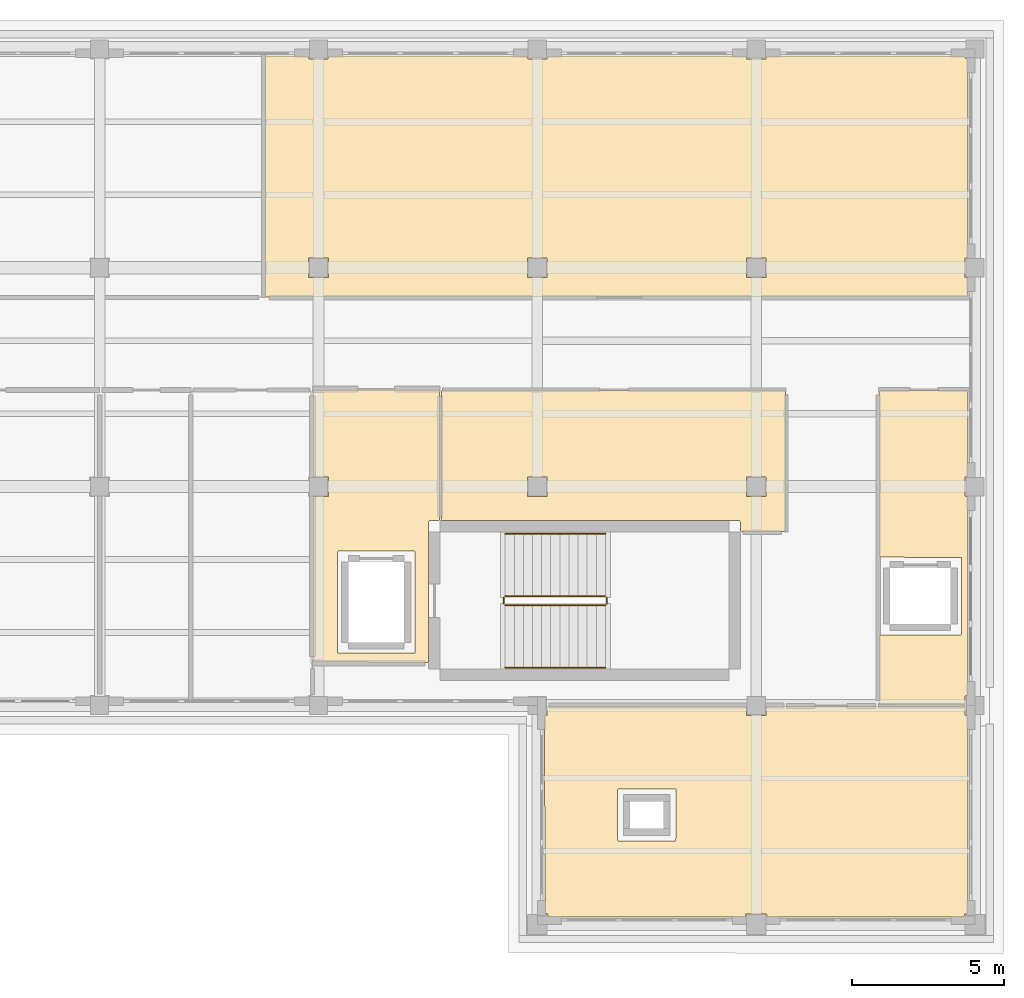
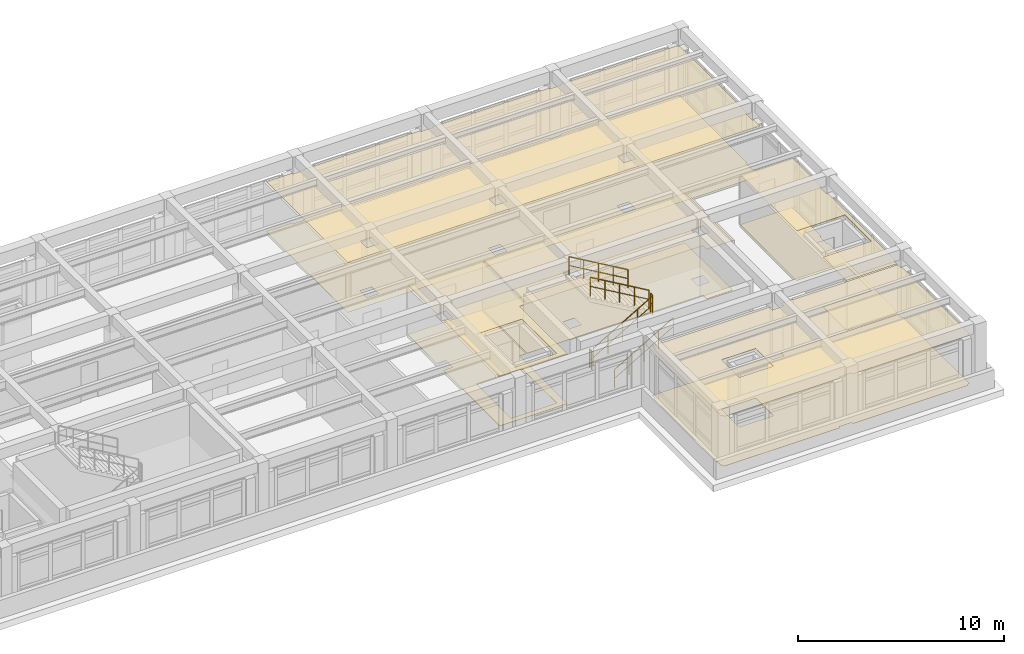
# One storey, part 19 of 19: 10 coverings, 6 railings.
"""IFC4 building model written with IfcOpenShell, lengths in metres."""

from ifc_helpers import new_model, si_unit, direction, frame, origin, origin_2d, place, context, subcontext, project, spatial, polyline, circle, outline, extrude, material, layer, layer_set, type_object, element, save


model = new_model("IFC4")

# Units and contexts
model_context = context("Model", 3, precision=1e-05, world=origin(), true_north=direction((0.0, 1.0)))
body_context = subcontext(model_context, "Body", "Model", "MODEL_VIEW")
ifc_project = project(units=[si_unit("LENGTHUNIT", "METRE"), si_unit("AREAUNIT", "SQUARE_METRE"), si_unit("VOLUMEUNIT", "CUBIC_METRE"), si_unit("PLANEANGLEUNIT", "RADIAN"), si_unit("MASSUNIT", "GRAM", prefix="KILO")], contexts=[model_context])

# Site, building, storey
site_placement = place(None, origin())
site = spatial("IfcSite", under=ifc_project, at=site_placement, CompositionType="ELEMENT")
building_placement = place(site_placement, origin())
building = spatial("IfcBuilding", under=site, at=building_placement, Name="Solenvale Faculty of Natural Sciences", CompositionType="ELEMENT")
storey_placement = place(building_placement, frame((0.0, 0.0, 27.0)))
storey = spatial("IfcBuildingStorey", under=building, at=storey_placement, Name="L06", CompositionType="ELEMENT", Elevation=27.0)

# Coverings
ifc_material_1 = material(Name="Acoustic mineral-timber ceiling", Category="wood")
ifc_layer_1 = layer(ifc_material_1, 0.02490234375)
ifc_layer_set_1 = layer_set([ifc_layer_1], Name="Acoustic mineral-timber ceiling")
covering_type_1 = type_object("IfcCoveringType", Name="COV-CEIL-AC25", PredefinedType="CEILING", material=ifc_layer_set_1)
covering_1_placement = place(storey_placement, frame((0.0, 0.0, 2.93505859375)))
element("IfcCovering", 1, at=covering_1_placement, inside=storey, type_object=covering_type_1, Name="L06 Firefighting Lobby C5 Acoustic Ceiling", PredefinedType="CEILING", context=body_context, shape_type="SweptSolid", body=[
    extrude(outline(polyline([(133.580078125, 99.7099609375), (133.555908203125, 99.680908203125), (133.248046875, 99.679931640625), (133.219970703125, 99.652099609375), (133.212890625, 95.031005859375), (133.18994140625, 95.02001953125), (129.430908203125, 95.027099609375), (129.419921875, 95.050048828125), (129.419921875, 100.447998046875), (129.447021484375, 100.47509765625), (129.923095703125, 100.47900390625), (129.925048828125, 101.114013671875), (129.9140625, 101.125), (129.447021484375, 101.125), (129.4208984375, 101.14892578125), (129.419921875, 103.949951171875), (129.428955078125, 103.970947265625), (129.449951171875, 103.97998046875), (133.550048828125, 103.97998046875), (133.571044921875, 103.970947265625), (133.580078125, 103.949951171875), (133.580078125, 99.7099609375)]), holes=[polyline([(130.248046875, 98.679931640625), (130.22802734375, 98.669921875), (130.219970703125, 98.64990234375), (130.22607421875, 95.33203125), (130.25, 95.320068359375), (132.76806640625, 95.325927734375), (132.780029296875, 95.35009765625), (132.77392578125, 98.66796875), (132.75, 98.679931640625), (130.248046875, 98.679931640625)])]), origin(), (0.0, 0.0, 1.0), 0.02490234375),
])
covering_2_placement = place(storey_placement, frame((0.0, 0.0, 2.93505859375)))
element("IfcCovering", 2, at=covering_2_placement, inside=storey, type_object=covering_type_1, Name="L06 Preparative Organic Chemistry Laboratory Acoustic Ceiling", PredefinedType="CEILING", context=body_context, shape_type="SweptSolid", body=[
    extrude(outline(polyline([(129.2451171875, 114.9599609375), (129.27099609375, 114.944091796875), (129.27490234375, 114.883056640625), (129.285888671875, 114.875), (129.916015625, 114.875), (129.927001953125, 114.94091796875), (129.955078125, 114.9599609375), (136.445068359375, 114.9599609375), (136.470947265625, 114.944091796875), (136.47509765625, 114.883056640625), (136.486083984375, 114.875), (137.115966796875, 114.875), (137.126953125, 114.94091796875), (137.155029296875, 114.9599609375), (143.64501953125, 114.9599609375), (143.6708984375, 114.944091796875), (143.675048828125, 114.883056640625), (143.68603515625, 114.875), (144.31591796875, 114.875), (144.326904296875, 114.94091796875), (144.35498046875, 114.9599609375), (150.85595703125, 114.9580078125), (150.8740234375, 114.93896484375), (150.8779296875, 114.8779296875), (150.94091796875, 114.873046875), (150.9599609375, 114.844970703125), (150.9599609375, 108.35498046875), (150.944091796875, 108.3291015625), (150.883056640625, 108.324951171875), (150.875, 108.31396484375), (150.875, 107.68408203125), (150.94091796875, 107.673095703125), (150.9599609375, 107.64794921875), (150.9580078125, 107.05908203125), (150.929931640625, 107.0400390625), (127.85888671875, 107.0419921875), (127.840087890625, 107.070068359375), (127.841064453125, 114.93603515625), (127.8701171875, 114.9599609375), (129.2451171875, 114.9599609375)]), holes=[polyline([(143.675048828125, 107.68603515625), (143.68603515625, 107.675048828125), (144.322021484375, 107.677978515625), (144.322021484375, 108.322021484375), (143.677978515625, 108.322021484375), (143.675048828125, 107.68603515625)]), polyline([(137.114013671875, 107.675048828125), (137.125, 107.68603515625), (137.1220703125, 108.322021484375), (136.47802734375, 108.322021484375), (136.47802734375, 107.677978515625), (137.114013671875, 107.675048828125)]), polyline([(129.27490234375, 107.68603515625), (129.285888671875, 107.675048828125), (129.922119140625, 107.677978515625), (129.922119140625, 108.322021484375), (129.278076171875, 108.322021484375), (129.27490234375, 107.68603515625)])]), origin(), (0.0, 0.0, 1.0), 0.02490234375),
])
covering_3_placement = place(storey_placement, frame((0.0, 0.0, 2.93505859375)))
element("IfcCovering", 3, at=covering_3_placement, inside=storey, type_object=covering_type_1, Name="L06 Building Electrical and Telecom Closet Acoustic Ceiling", PredefinedType="CEILING", context=body_context, shape_type="SweptSolid", body=[
    extrude(outline(polyline([(144.929931640625, 103.9599609375), (144.950927734375, 103.950927734375), (144.9599609375, 103.929931640625), (144.9599609375, 99.35009765625), (144.94091796875, 99.322021484375), (143.50390625, 99.321044921875), (143.47998046875, 99.346923828125), (143.47998046875, 99.654052734375), (143.450927734375, 99.679931640625), (133.669921875, 99.679931640625), (133.64208984375, 99.698974609375), (133.639892578125, 103.929931640625), (133.658935546875, 103.9580078125), (144.929931640625, 103.9599609375)]), holes=[polyline([(143.675048828125, 100.486083984375), (143.68603515625, 100.47509765625), (144.322021484375, 100.47802734375), (144.322021484375, 101.1220703125), (143.677978515625, 101.1220703125), (143.675048828125, 100.486083984375)]), polyline([(137.114013671875, 100.47509765625), (137.125, 100.486083984375), (137.1220703125, 101.1220703125), (136.47802734375, 101.1220703125), (136.47802734375, 100.47802734375), (137.114013671875, 100.47509765625)])]), origin(), (0.0, 0.0, 1.0), 0.02490234375),
])
covering_4_placement = place(storey_placement, frame((0.0, 0.0, 2.93505859375)))
element("IfcCovering", 4, at=covering_4_placement, inside=storey, type_object=covering_type_1, Name="L06 Elevator Lobby Acoustic Ceiling", PredefinedType="CEILING", context=body_context, shape_type="SweptSolid", body=[
    extrude(outline(polyline([(148.0400390625, 95.889892578125), (148.049072265625, 95.910888671875), (148.070068359375, 95.919921875), (150.72509765625, 95.919921875), (150.7470703125, 95.929931640625), (150.7548828125, 95.949951171875), (150.7548828125, 98.449951171875), (150.7451171875, 98.471923828125), (148.070068359375, 98.47998046875), (148.041015625, 98.5009765625), (148.0419921875, 103.94091796875), (148.070068359375, 103.9599609375), (150.94091796875, 103.9580078125), (150.9599609375, 103.929931640625), (150.9599609375, 101.155029296875), (150.94091796875, 101.126953125), (150.875, 101.115966796875), (150.875, 100.486083984375), (150.883056640625, 100.47509765625), (150.944091796875, 100.470947265625), (150.9599609375, 100.445068359375), (150.9599609375, 93.955078125), (150.94091796875, 93.927001953125), (150.875, 93.91796875), (150.867919921875, 93.631103515625), (150.844970703125, 93.6201171875), (148.051025390625, 93.626953125), (148.0400390625, 93.64990234375), (148.0400390625, 95.889892578125)])), origin(), (0.0, 0.0, 1.0), 0.02490234375),
])
covering_5_placement = place(storey_placement, frame((0.0, 0.0, 2.93505859375)))
element("IfcCovering", 5, at=covering_5_placement, inside=storey, type_object=covering_type_1, Name="L06 Seminar Room Acoustic Ceiling", PredefinedType="CEILING", context=body_context, shape_type="SweptSolid", body=[
    extrude(outline(polyline([(144.950927734375, 93.580078125), (145.0, 93.56005859375), (150.844970703125, 93.56005859375), (150.867919921875, 93.549072265625), (150.875, 93.281982421875), (150.94091796875, 93.27294921875), (150.9599609375, 93.2451171875), (150.9599609375, 86.780029296875), (150.93896484375, 86.7509765625), (150.85302734375, 86.7470703125), (150.839111328125, 86.64697265625), (144.3798828125, 86.639892578125), (144.35107421875, 86.660888671875), (144.342041015625, 86.75), (143.660888671875, 86.75), (143.64990234375, 86.740966796875), (143.64794921875, 86.658935546875), (143.6201171875, 86.639892578125), (137.179931640625, 86.639892578125), (137.15087890625, 86.660888671875), (137.14697265625, 86.7470703125), (137.047119140625, 86.760986328125), (137.0400390625, 93.2451171875), (137.05908203125, 93.27294921875), (137.125, 93.281982421875), (137.125, 93.550048828125), (137.135986328125, 93.572998046875), (143.64501953125, 93.580078125), (143.675048828125, 93.552978515625), (143.680908203125, 93.27587890625), (144.31396484375, 93.27490234375), (144.324951171875, 93.285888671875), (144.324951171875, 93.552978515625), (144.341064453125, 93.575927734375), (144.950927734375, 93.580078125)]), holes=[polyline([(139.468017578125, 90.860107421875), (139.447998046875, 90.85009765625), (139.43994140625, 90.830078125), (139.43994140625, 89.169921875), (139.449951171875, 89.14794921875), (141.330078125, 89.139892578125), (141.35205078125, 89.14990234375), (141.360107421875, 90.830078125), (141.35009765625, 90.85205078125), (139.468017578125, 90.860107421875)])]), origin(), (0.0, 0.0, 1.0), 0.02490234375),
])
ifc_material_2 = material(Name="Polished slate terrazzo flooring", Category="masonry")
ifc_layer_2 = layer(ifc_material_2, 0.01806640625)
ifc_layer_set_2 = layer_set([ifc_layer_2], Name="Polished slate terrazzo flooring")
covering_type_2 = type_object("IfcCoveringType", Name="COV-FLR-TRZ18", PredefinedType="FLOORING", material=ifc_layer_set_2)
covering_6_placement = place(storey_placement, origin())
element("IfcCovering", 6, at=covering_6_placement, inside=storey, type_object=covering_type_2, Name="L06 Firefighting Lobby C5 Floor Finish", PredefinedType="FLOORING", context=body_context, shape_type="SweptSolid", body=[
    extrude(outline(polyline([(133.580078125, 99.7099609375), (133.555908203125, 99.680908203125), (133.248046875, 99.679931640625), (133.219970703125, 99.652099609375), (133.212890625, 95.031005859375), (133.18994140625, 95.02001953125), (129.430908203125, 95.027099609375), (129.419921875, 95.050048828125), (129.419921875, 100.447998046875), (129.447021484375, 100.47509765625), (129.923095703125, 100.47900390625), (129.925048828125, 101.114013671875), (129.9140625, 101.125), (129.447021484375, 101.125), (129.4208984375, 101.14892578125), (129.419921875, 103.949951171875), (129.428955078125, 103.970947265625), (129.449951171875, 103.97998046875), (133.550048828125, 103.97998046875), (133.571044921875, 103.970947265625), (133.580078125, 103.949951171875), (133.580078125, 99.7099609375)]), holes=[polyline([(130.248046875, 98.679931640625), (130.22802734375, 98.669921875), (130.219970703125, 98.64990234375), (130.22607421875, 95.33203125), (130.25, 95.320068359375), (132.76806640625, 95.325927734375), (132.780029296875, 95.35009765625), (132.77392578125, 98.66796875), (132.75, 98.679931640625), (130.248046875, 98.679931640625)])]), origin(), (0.0, 0.0, 1.0), 0.01806640625),
])
covering_7_placement = place(storey_placement, origin())
element("IfcCovering", 7, at=covering_7_placement, inside=storey, type_object=covering_type_2, Name="L06 Building Electrical and Telecom Closet Floor Finish", PredefinedType="FLOORING", context=body_context, shape_type="SweptSolid", body=[
    extrude(outline(polyline([(144.929931640625, 103.9599609375), (144.950927734375, 103.950927734375), (144.9599609375, 103.929931640625), (144.9599609375, 99.35009765625), (144.94091796875, 99.322021484375), (143.50390625, 99.321044921875), (143.47998046875, 99.346923828125), (143.47998046875, 99.654052734375), (143.450927734375, 99.679931640625), (133.669921875, 99.679931640625), (133.64208984375, 99.698974609375), (133.639892578125, 103.929931640625), (133.658935546875, 103.9580078125), (144.929931640625, 103.9599609375)]), holes=[polyline([(143.675048828125, 100.486083984375), (143.68603515625, 100.47509765625), (144.322021484375, 100.47802734375), (144.322021484375, 101.1220703125), (143.677978515625, 101.1220703125), (143.675048828125, 100.486083984375)]), polyline([(137.114013671875, 100.47509765625), (137.125, 100.486083984375), (137.1220703125, 101.1220703125), (136.47802734375, 101.1220703125), (136.47802734375, 100.47802734375), (137.114013671875, 100.47509765625)])]), origin(), (0.0, 0.0, 1.0), 0.01806640625),
])
covering_8_placement = place(storey_placement, origin())
element("IfcCovering", 8, at=covering_8_placement, inside=storey, type_object=covering_type_2, Name="L06 Elevator Lobby Floor Finish", PredefinedType="FLOORING", context=body_context, shape_type="SweptSolid", body=[
    extrude(outline(polyline([(148.0400390625, 95.889892578125), (148.049072265625, 95.910888671875), (148.070068359375, 95.919921875), (150.72509765625, 95.919921875), (150.7470703125, 95.929931640625), (150.7548828125, 95.949951171875), (150.7548828125, 98.449951171875), (150.7451171875, 98.471923828125), (148.070068359375, 98.47998046875), (148.041015625, 98.5009765625), (148.0419921875, 103.94091796875), (148.070068359375, 103.9599609375), (150.94091796875, 103.9580078125), (150.9599609375, 103.929931640625), (150.9599609375, 101.155029296875), (150.94091796875, 101.126953125), (150.875, 101.115966796875), (150.875, 100.486083984375), (150.883056640625, 100.47509765625), (150.944091796875, 100.470947265625), (150.9599609375, 100.445068359375), (150.9599609375, 93.955078125), (150.94091796875, 93.927001953125), (150.875, 93.91796875), (150.867919921875, 93.631103515625), (150.844970703125, 93.6201171875), (148.051025390625, 93.626953125), (148.0400390625, 93.64990234375), (148.0400390625, 95.889892578125)])), origin(), (0.0, 0.0, 1.0), 0.01806640625),
])
covering_9_placement = place(storey_placement, origin())
element("IfcCovering", 9, at=covering_9_placement, inside=storey, type_object=covering_type_2, Name="L06 Seminar Room Floor Finish", PredefinedType="FLOORING", context=body_context, shape_type="SweptSolid", body=[
    extrude(outline(polyline([(144.950927734375, 93.580078125), (145.0, 93.56005859375), (150.844970703125, 93.56005859375), (150.867919921875, 93.549072265625), (150.875, 93.281982421875), (150.94091796875, 93.27294921875), (150.9599609375, 93.2451171875), (150.9599609375, 86.780029296875), (150.93896484375, 86.7509765625), (150.85302734375, 86.7470703125), (150.839111328125, 86.64697265625), (144.3798828125, 86.639892578125), (144.35107421875, 86.660888671875), (144.342041015625, 86.75), (143.660888671875, 86.75), (143.64990234375, 86.740966796875), (143.64794921875, 86.658935546875), (143.6201171875, 86.639892578125), (137.179931640625, 86.639892578125), (137.15087890625, 86.660888671875), (137.14697265625, 86.7470703125), (137.047119140625, 86.760986328125), (137.0400390625, 93.2451171875), (137.05908203125, 93.27294921875), (137.125, 93.281982421875), (137.125, 93.550048828125), (137.135986328125, 93.572998046875), (143.64501953125, 93.580078125), (143.675048828125, 93.552978515625), (143.680908203125, 93.27587890625), (144.31396484375, 93.27490234375), (144.324951171875, 93.285888671875), (144.324951171875, 93.552978515625), (144.341064453125, 93.575927734375), (144.950927734375, 93.580078125)]), holes=[polyline([(139.468017578125, 90.860107421875), (139.447998046875, 90.85009765625), (139.43994140625, 90.830078125), (139.43994140625, 89.169921875), (139.449951171875, 89.14794921875), (141.330078125, 89.139892578125), (141.35205078125, 89.14990234375), (141.360107421875, 90.830078125), (141.35009765625, 90.85205078125), (139.468017578125, 90.860107421875)])]), origin(), (0.0, 0.0, 1.0), 0.01806640625),
])
ifc_material_3 = material(Name="Seamless laboratory vinyl flooring")
ifc_layer_3 = layer(ifc_material_3, 0.008056640625)
ifc_layer_set_3 = layer_set([ifc_layer_3], Name="Seamless laboratory vinyl flooring")
covering_type_3 = type_object("IfcCoveringType", Name="COV-FLR-VNL08", PredefinedType="FLOORING", material=ifc_layer_set_3)
covering_10_placement = place(storey_placement, origin())
element("IfcCovering", 10, at=covering_10_placement, inside=storey, type_object=covering_type_3, Name="L06 Preparative Organic Chemistry Laboratory Floor Finish", PredefinedType="FLOORING", context=body_context, shape_type="SweptSolid", body=[
    extrude(outline(polyline([(129.2451171875, 114.9599609375), (129.27099609375, 114.944091796875), (129.27490234375, 114.883056640625), (129.285888671875, 114.875), (129.916015625, 114.875), (129.927001953125, 114.94091796875), (129.955078125, 114.9599609375), (136.445068359375, 114.9599609375), (136.470947265625, 114.944091796875), (136.47509765625, 114.883056640625), (136.486083984375, 114.875), (137.115966796875, 114.875), (137.126953125, 114.94091796875), (137.155029296875, 114.9599609375), (143.64501953125, 114.9599609375), (143.6708984375, 114.944091796875), (143.675048828125, 114.883056640625), (143.68603515625, 114.875), (144.31591796875, 114.875), (144.326904296875, 114.94091796875), (144.35498046875, 114.9599609375), (150.85595703125, 114.9580078125), (150.8740234375, 114.93896484375), (150.8779296875, 114.8779296875), (150.94091796875, 114.873046875), (150.9599609375, 114.844970703125), (150.9599609375, 108.35498046875), (150.944091796875, 108.3291015625), (150.883056640625, 108.324951171875), (150.875, 108.31396484375), (150.875, 107.68408203125), (150.94091796875, 107.673095703125), (150.9599609375, 107.64794921875), (150.9580078125, 107.05908203125), (150.929931640625, 107.0400390625), (127.85888671875, 107.0419921875), (127.840087890625, 107.070068359375), (127.841064453125, 114.93603515625), (127.8701171875, 114.9599609375), (129.2451171875, 114.9599609375)]), holes=[polyline([(143.675048828125, 107.68603515625), (143.68603515625, 107.675048828125), (144.322021484375, 107.677978515625), (144.322021484375, 108.322021484375), (143.677978515625, 108.322021484375), (143.675048828125, 107.68603515625)]), polyline([(137.114013671875, 107.675048828125), (137.125, 107.68603515625), (137.1220703125, 108.322021484375), (136.47802734375, 108.322021484375), (136.47802734375, 107.677978515625), (137.114013671875, 107.675048828125)]), polyline([(129.27490234375, 107.68603515625), (129.285888671875, 107.675048828125), (129.922119140625, 107.677978515625), (129.922119140625, 108.322021484375), (129.278076171875, 108.322021484375), (129.27490234375, 107.68603515625)])]), origin(), (0.0, 0.0, 1.0), 0.008056640625),
])

# Railings
ifc_material_4 = material(Name="Stainless steel Grade 304", Category="steel")
railing_type_1 = type_object("IfcRailingType", Name="RL-GRD-1100", PredefinedType="GUARDRAIL", material=ifc_material_4)
railing_1_placement = place(storey_placement, frame((135.739990234375, 96.89990234375, 0.175048828125)))
element("IfcRailing", 11, at=railing_1_placement, inside=storey, type_object=railing_type_1, Name="L06 ST-05 stair guard 1", PredefinedType="GUARDRAIL", context=body_context, shape_type="SweptSolid", body=[
    extrude(circle(Radius=0.02392578125, at=origin_2d()), frame((0.0, 0.0, 1.09619140625), z_axis=(0.863776583165, 0.0, 0.503874998761), x_axis=(0.0, 1.0, 0.0)), (0.0, 0.0, 1.0), 3.820556640625),
    extrude(circle(Radius=0.01611328125, at=origin_2d()), frame((0.0, 0.0, 0.56005859375), z_axis=(0.863776583165, 0.0, 0.503874998761), x_axis=(0.0, 1.0, 0.0)), (0.0, 0.0, 1.0), 3.820556640625),
    extrude(circle(Radius=0.02099609375, at=origin_2d()), origin(), (0.0, 0.0, 1.0), 1.072021484375),
    extrude(circle(Radius=0.02099609375, at=origin_2d()), frame((0.824951171875, 0.0, 0.481201171875)), (0.0, 0.0, 1.0), 1.072021484375),
    extrude(circle(Radius=0.02099609375, at=origin_2d()), frame((1.64990234375, 0.0, 0.96240234375)), (0.0, 0.0, 1.0), 1.072021484375),
    extrude(circle(Radius=0.02099609375, at=origin_2d()), frame((2.47509765625, 0.0, 1.44384765625)), (0.0, 0.0, 1.0), 1.072021484375),
    extrude(circle(Radius=0.02099609375, at=origin_2d()), frame((3.300048828125, 0.0, 1.925048828125)), (0.0, 0.0, 1.0), 1.072021484375),
])
railing_2_placement = place(storey_placement, frame((139.090087890625, 96.949951171875, 2.10009765625)))
element("IfcRailing", 12, at=railing_2_placement, inside=storey, type_object=railing_type_1, Name="L06 ST-05 stair guard 2", PredefinedType="GUARDRAIL", context=body_context, shape_type="SweptSolid", body=[
    extrude(circle(Radius=0.02392578125, at=origin_2d()), frame((0.0, 0.0, 1.09619140625), z_axis=(0.0, 1.0, 0.0), x_axis=(-1.0, 0.0, 0.0)), (0.0, 0.0, 1.0), 0.199951171875),
    extrude(circle(Radius=0.01611328125, at=origin_2d()), frame((0.0, 0.0, 0.56005859375), z_axis=(0.0, 1.0, 0.0), x_axis=(-1.0, 0.0, 0.0)), (0.0, 0.0, 1.0), 0.199951171875),
    extrude(circle(Radius=0.02099609375, at=origin_2d()), origin(), (0.0, 0.0, 1.0), 1.072021484375),
    extrude(circle(Radius=0.02099609375, at=origin_2d()), frame((0.0, 0.199951171875, 0.0)), (0.0, 0.0, 1.0), 1.072021484375),
])
railing_3_placement = place(storey_placement, frame((139.0400390625, 97.199951171875, 2.27490234375)))
element("IfcRailing", 13, at=railing_3_placement, inside=storey, type_object=railing_type_1, Name="L06 ST-05 stair guard 3", PredefinedType="GUARDRAIL", context=body_context, shape_type="SweptSolid", body=[
    extrude(circle(Radius=0.02392578125, at=origin_2d()), frame((0.0, 0.0, 1.09619140625), z_axis=(-0.863776583165, 0.0, 0.503874998761), x_axis=(0.0, -1.0, 0.0)), (0.0, 0.0, 1.0), 3.820556640625),
    extrude(circle(Radius=0.01611328125, at=origin_2d()), frame((0.0, 0.0, 0.56005859375), z_axis=(-0.863776583165, 0.0, 0.503874998761), x_axis=(0.0, -1.0, 0.0)), (0.0, 0.0, 1.0), 3.820556640625),
    extrude(circle(Radius=0.02099609375, at=origin_2d()), origin(), (0.0, 0.0, 1.0), 1.072021484375),
    extrude(circle(Radius=0.02099609375, at=origin_2d()), frame((-0.824951171875, 0.0, 0.481201171875)), (0.0, 0.0, 1.0), 1.072021484375),
    extrude(circle(Radius=0.02099609375, at=origin_2d()), frame((-1.64990234375, 0.0, 0.96240234375)), (0.0, 0.0, 1.0), 1.072021484375),
    extrude(circle(Radius=0.02099609375, at=origin_2d()), frame((-2.47509765625, 0.0, 1.44384765625)), (0.0, 0.0, 1.0), 1.072021484375),
    extrude(circle(Radius=0.02099609375, at=origin_2d()), frame((-3.300048828125, 0.0, 1.925048828125)), (0.0, 0.0, 1.0), 1.072021484375),
])
railing_4_placement = place(storey_placement, frame((135.68994140625, 96.949951171875, 0.0)))
element("IfcRailing", 14, at=railing_4_placement, inside=storey, type_object=railing_type_1, Name="L06 ST-05 stair guard 4", PredefinedType="GUARDRAIL", context=body_context, shape_type="SweptSolid", body=[
    extrude(circle(Radius=0.02392578125, at=origin_2d()), frame((0.0, 0.0, 1.09619140625), z_axis=(0.0, 1.0, 0.0), x_axis=(-1.0, 0.0, 0.0)), (0.0, 0.0, 1.0), 0.199951171875),
    extrude(circle(Radius=0.01611328125, at=origin_2d()), frame((0.0, 0.0, 0.56005859375), z_axis=(0.0, 1.0, 0.0), x_axis=(-1.0, 0.0, 0.0)), (0.0, 0.0, 1.0), 0.199951171875),
    extrude(circle(Radius=0.02099609375, at=origin_2d()), origin(), (0.0, 0.0, 1.0), 1.072021484375),
    extrude(circle(Radius=0.02099609375, at=origin_2d()), frame((0.0, 0.199951171875, 0.0)), (0.0, 0.0, 1.0), 1.072021484375),
])
railing_type_2 = type_object("IfcRailingType", Name="RL-HND-900", PredefinedType="HANDRAIL", material=ifc_material_4)
railing_5_placement = place(storey_placement, frame((135.739990234375, 94.85009765625, 0.175048828125)))
element("IfcRailing", 15, at=railing_5_placement, inside=storey, type_object=railing_type_2, Name="L06 ST-05 stair handrail 1", PredefinedType="HANDRAIL", context=body_context, shape_type="SweptSolid", body=[
    extrude(circle(Radius=0.02392578125, at=origin_2d()), frame((0.0, 0.0, 1.0751953125), z_axis=(0.863776583165, 0.0, 0.503874998761), x_axis=(0.0, 1.0, 0.0)), (0.0, 0.0, 1.0), 3.820556640625),
    extrude(circle(Radius=0.01611328125, at=origin_2d()), frame((0.0, 0.0, 0.549560546875), z_axis=(0.863776583165, 0.0, 0.503874998761), x_axis=(0.0, 1.0, 0.0)), (0.0, 0.0, 1.0), 3.820556640625),
    extrude(circle(Radius=0.02099609375, at=origin_2d()), origin(), (0.0, 0.0, 1.0), 1.051025390625),
    extrude(circle(Radius=0.02099609375, at=origin_2d()), frame((0.824951171875, 0.0, 0.481201171875)), (0.0, 0.0, 1.0), 1.051025390625),
    extrude(circle(Radius=0.02099609375, at=origin_2d()), frame((1.64990234375, 0.0, 0.96240234375)), (0.0, 0.0, 1.0), 1.051025390625),
    extrude(circle(Radius=0.02099609375, at=origin_2d()), frame((2.47509765625, 0.0, 1.44384765625)), (0.0, 0.0, 1.0), 1.051025390625),
    extrude(circle(Radius=0.02099609375, at=origin_2d()), frame((3.300048828125, 0.0, 1.925048828125)), (0.0, 0.0, 1.0), 1.051025390625),
])
railing_6_placement = place(storey_placement, frame((139.0400390625, 99.25, 2.27490234375)))
element("IfcRailing", 16, at=railing_6_placement, inside=storey, type_object=railing_type_2, Name="L06 ST-05 stair handrail 2", PredefinedType="HANDRAIL", context=body_context, shape_type="SweptSolid", body=[
    extrude(circle(Radius=0.02392578125, at=origin_2d()), frame((0.0, 0.0, 1.0751953125), z_axis=(-0.863776583165, 0.0, 0.503874998761), x_axis=(0.0, -1.0, 0.0)), (0.0, 0.0, 1.0), 3.820556640625),
    extrude(circle(Radius=0.01611328125, at=origin_2d()), frame((0.0, 0.0, 0.549560546875), z_axis=(-0.863776583165, 0.0, 0.503874998761), x_axis=(0.0, -1.0, 0.0)), (0.0, 0.0, 1.0), 3.820556640625),
    extrude(circle(Radius=0.02099609375, at=origin_2d()), origin(), (0.0, 0.0, 1.0), 1.051025390625),
    extrude(circle(Radius=0.02099609375, at=origin_2d()), frame((-0.824951171875, 0.0, 0.481201171875)), (0.0, 0.0, 1.0), 1.051025390625),
    extrude(circle(Radius=0.02099609375, at=origin_2d()), frame((-1.64990234375, 0.0, 0.96240234375)), (0.0, 0.0, 1.0), 1.051025390625),
    extrude(circle(Radius=0.02099609375, at=origin_2d()), frame((-2.47509765625, 0.0, 1.44384765625)), (0.0, 0.0, 1.0), 1.051025390625),
    extrude(circle(Radius=0.02099609375, at=origin_2d()), frame((-3.300048828125, 0.0, 1.925048828125)), (0.0, 0.0, 1.0), 1.051025390625),
])

save(model, "model.ifc")
